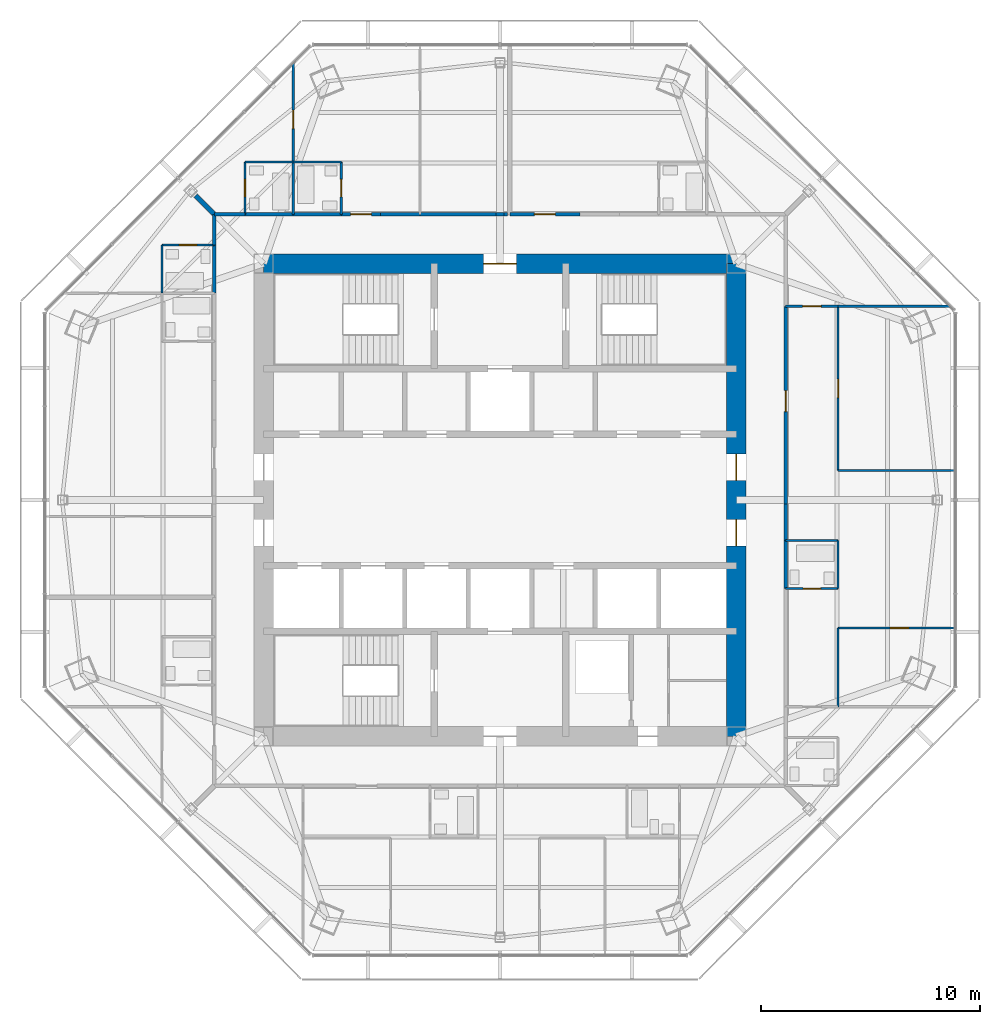
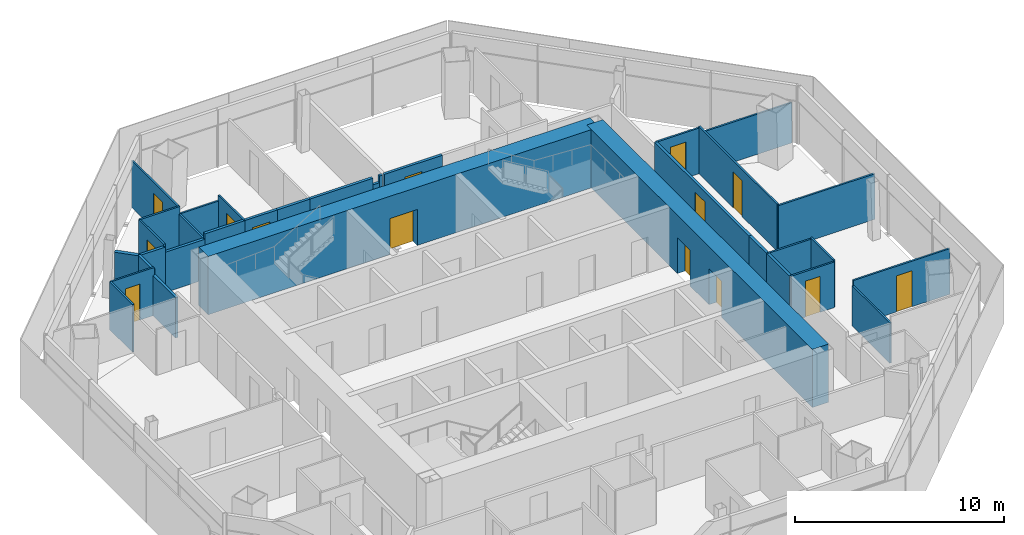
# One storey, part 11 of 14: 34 walls, 14 doors, 14 openings.
"""IFC4 building model written with IfcOpenShell, lengths in metres."""

from ifc_helpers import new_model, si_unit, direction, frame, frame_2d, origin, place, context, subcontext, project, spatial, rectangle, extrude, material, layer, layer_set, type_object, element, fill, save


model = new_model("IFC4")

# Units and contexts
model_context = context("Model", 3, precision=1e-05, world=origin(), true_north=direction((0.0, 1.0)))
body_context = subcontext(model_context, "Body", "Model", "MODEL_VIEW")
ifc_project = project(units=[si_unit("LENGTHUNIT", "METRE"), si_unit("AREAUNIT", "SQUARE_METRE"), si_unit("VOLUMEUNIT", "CUBIC_METRE"), si_unit("PLANEANGLEUNIT", "RADIAN"), si_unit("MASSUNIT", "GRAM", prefix="KILO")], contexts=[model_context])

# Site, building, storey
site_placement = place(None, origin())
site = spatial("IfcSite", under=ifc_project, at=site_placement, CompositionType="ELEMENT")
building_placement = place(site_placement, origin())
building = spatial("IfcBuilding", under=site, at=building_placement, Name="Mashrafa Tower", CompositionType="ELEMENT")
storey_placement = place(building_placement, frame((0.0, 0.0, 255.0)))
storey = spatial("IfcBuildingStorey", under=building, at=storey_placement, Name="L61", CompositionType="ELEMENT", Elevation=255.0)

# Wall
ifc_material_1 = material(Name="Gypsum board on steel studs", Category="steel")
ifc_layer_1 = layer(ifc_material_1, 0.199951171875)
ifc_layer_set_1 = layer_set([ifc_layer_1], Name="Acoustic partition 200 1 hr")
wall_type_1 = type_object("IfcWallType", Name="Acoustic partition 200 1 hr", PredefinedType="PARTITIONING", material=ifc_layer_set_1)
wall_1_placement = place(storey_placement, frame((-13.90234375, 13.90234375, 0.0), z_axis=(0.0, 0.0, 1.0), x_axis=(0.707106781187, -0.707106781187, 0.0)))
element("IfcWall", 1, at=wall_1_placement, inside=storey, type_object=wall_type_1, Name="Acoustic wall L61-067", PredefinedType="PARTITIONING", context=body_context, shape_type="SweptSolid", body=[
    extrude(rectangle(XDim=1.205322265625, YDim=0.199951171875, at=frame_2d((0.6025390625, 0.0))), origin(), (0.0, 0.0, 1.0), 2.656494140625),
])

# Wall, openings, doors
ifc_material_2 = material(Name="Concrete C50/60", Category="concrete")
ifc_layer_2 = layer(ifc_material_2, 0.89990234375)
ifc_layer_set_2 = layer_set([ifc_layer_2], Name="Core wall 900 C50/60")
wall_type_2 = type_object("IfcWallType", Name="Core wall 900 C50/60", PredefinedType="SOLIDWALL", material=ifc_layer_set_2)
wall_2_placement = place(storey_placement, frame((10.800048828125, -10.800048828125, 0.0), z_axis=(0.0, 0.0, 1.0), x_axis=(0.0, 1.0, 0.0)))
wall_2 = element("IfcWall", 2, at=wall_2_placement, inside=storey, type_object=wall_type_2, Name="Core wall CW-E L61", PredefinedType="SOLIDWALL", context=body_context, shape_type="SweptSolid", body=[
    extrude(rectangle(XDim=21.60009765625, YDim=0.89990234375, at=frame_2d((10.800048828125, 0.0))), origin(), (0.0, 0.0, 1.0), 3.39990234375),
])
opening_1_placement = place(wall_2_placement, frame((11.699951171875, 0.0, 0.0)))
opening_1 = element("IfcOpeningElement", 3, at=opening_1_placement, cuts=wall_2, Name="Opening 61.031", PredefinedType="OPENING", context=body_context, shape_type="SweptSolid", body=[
    extrude(rectangle(XDim=1.199951171875, YDim=2.10009765625, at=frame_2d((0.60009765625, 1.050048828125))), frame((0.0, 0.4599609375, 0.0), z_axis=(0.0, -1.0, 0.0), x_axis=(1.0, 0.0, 0.0)), (0.0, 0.0, 1.0), 0.919921875),
])
opening_2_placement = place(wall_2_placement, frame((8.699951171875, 0.0, 0.0)))
opening_2 = element("IfcOpeningElement", 4, at=opening_2_placement, cuts=wall_2, Name="Opening 61.033", PredefinedType="OPENING", context=body_context, shape_type="SweptSolid", body=[
    extrude(rectangle(XDim=1.199951171875, YDim=2.10009765625, at=frame_2d((0.60009765625, 1.050048828125))), frame((0.0, 0.4599609375, 0.0), z_axis=(0.0, -1.0, 0.0), x_axis=(1.0, 0.0, 0.0)), (0.0, 0.0, 1.0), 0.919921875),
])
ifc_material_3 = material(Name="Steel door", Category="steel")
door_type_1 = type_object("IfcDoorType", Name="Lift hall door 1200 x 2100 90 min", OperationType="USERDEFINED", PredefinedType="DOOR", material=ifc_material_3)
door_1_placement = place(opening_1_placement, frame((1.199951171875, 0.0, 0.0), z_axis=(0.0, 0.0, 1.0), x_axis=(-1.0, 0.0, 0.0)))
door_1 = element("IfcDoor", 5, at=door_1_placement, inside=storey, type_object=door_type_1, Name="Lift hall door east L61", OperationType="SINGLE_SWING_LEFT", OverallHeight=2.10009765625, OverallWidth=1.199951171875, PredefinedType="DOOR", context=body_context, shape_type="SweptSolid", body=[
    extrude(rectangle(XDim=1.199951171875, YDim=2.10009765625, at=frame_2d((0.60009765625, 1.050048828125))), frame((0.0, 0.02490234375, 0.0), z_axis=(0.0, -1.0, 0.0), x_axis=(1.0, 0.0, 0.0)), (0.0, 0.0, 1.0), 0.050048828125),
])
fill(opening_1, door_1)
door_2_placement = place(opening_2_placement, frame((1.199951171875, 0.0, 0.0), z_axis=(0.0, 0.0, 1.0), x_axis=(-1.0, 0.0, 0.0)))
door_2 = element("IfcDoor", 6, at=door_2_placement, inside=storey, type_object=door_type_1, Name="Lift hall door east L61", OperationType="SINGLE_SWING_RIGHT", OverallHeight=2.10009765625, OverallWidth=1.199951171875, PredefinedType="DOOR", context=body_context, shape_type="SweptSolid", body=[
    extrude(rectangle(XDim=1.199951171875, YDim=2.10009765625, at=frame_2d((0.60009765625, 1.050048828125))), frame((0.0, 0.02490234375, 0.0), z_axis=(0.0, -1.0, 0.0), x_axis=(1.0, 0.0, 0.0)), (0.0, 0.0, 1.0), 0.050048828125),
])
fill(opening_2, door_2)

# Wall, opening, door
wall_3_placement = place(storey_placement, frame((10.800048828125, 10.800048828125, 0.0), z_axis=(0.0, 0.0, 1.0), x_axis=(-1.0, 0.0, 0.0)))
wall_3 = element("IfcWall", 7, at=wall_3_placement, inside=storey, type_object=wall_type_2, Name="Core wall CW-N L61", PredefinedType="SOLIDWALL", context=body_context, shape_type="SweptSolid", body=[
    extrude(rectangle(XDim=21.60009765625, YDim=0.89990234375, at=frame_2d((10.800048828125, 0.0))), origin(), (0.0, 0.0, 1.0), 3.39990234375),
])
opening_3_placement = place(wall_3_placement, frame((10.050048828125, 0.0, 0.0)))
opening_3 = element("IfcOpeningElement", 8, at=opening_3_placement, cuts=wall_3, Name="Opening 61.035", PredefinedType="OPENING", context=body_context, shape_type="SweptSolid", body=[
    extrude(rectangle(XDim=1.5, YDim=2.10009765625, at=frame_2d((0.75, 1.050048828125))), frame((0.0, 0.4599609375, 0.0), z_axis=(0.0, -1.0, 0.0), x_axis=(1.0, 0.0, 0.0)), (0.0, 0.0, 1.0), 0.919921875),
])
ifc_material_4 = material(Name="Steel door", Category="steel")
door_type_2 = type_object("IfcDoorType", Name="Lobby door pair 1500 x 2100 90 min", OperationType="DOUBLE_DOOR_SINGLE_SWING", PredefinedType="DOOR", material=ifc_material_4)
door_3_placement = place(opening_3_placement, origin())
door_3 = element("IfcDoor", 9, at=door_3_placement, inside=storey, type_object=door_type_2, Name="Fire-fighting lobby F1 door L61", OperationType="DOUBLE_DOOR_SINGLE_SWING", OverallHeight=2.10009765625, OverallWidth=1.5, PredefinedType="DOOR", context=body_context, shape_type="SweptSolid", body=[
    extrude(rectangle(XDim=1.5, YDim=2.10009765625, at=frame_2d((0.75, 1.050048828125))), frame((0.0, 0.02490234375, 0.0), z_axis=(0.0, -1.0, 0.0), x_axis=(1.0, 0.0, 0.0)), (0.0, 0.0, 1.0), 0.050048828125),
])
fill(opening_3, door_3)

# Walls
ifc_material_5 = material(Name="Gypsum board on steel studs", Category="steel")
ifc_layer_3 = layer(ifc_material_5, 0.14990234375)
ifc_layer_set_3 = layer_set([ifc_layer_3], Name="Corridor partition 150 1 hr")
wall_type_3 = type_object("IfcWallType", Name="Corridor partition 150 1 hr", PredefinedType="PARTITIONING", material=ifc_layer_set_3)
wall_4_placement = place(storey_placement, frame((13.050048828125, -4.051025390625, 0.0), z_axis=(0.0, 0.0, 1.0), x_axis=(0.0, 1.0, 0.0)))
element("IfcWall", 10, at=wall_4_placement, inside=storey, type_object=wall_type_3, Name="Corridor wall L61-003", PredefinedType="PARTITIONING", context=body_context, shape_type="SweptSolid", body=[
    extrude(rectangle(XDim=2.201904296875, YDim=0.14990234375, at=frame_2d((1.10107421875, 0.0))), origin(), (0.0, 0.0, 1.0), 2.66162109375),
])
wall_5_placement = place(storey_placement, frame((13.050048828125, -1.85107421875, 0.0), z_axis=(0.0, 0.0, 1.0), x_axis=(0.0, 1.0, 0.0)))
element("IfcWall", 11, at=wall_5_placement, inside=storey, type_object=wall_type_3, Name="Corridor wall L61-004", PredefinedType="PARTITIONING", context=body_context, shape_type="SweptSolid", body=[
    extrude(rectangle(XDim=1.668701171875, YDim=0.14990234375, at=frame_2d((0.83447265625, 0.0))), origin(), (0.0, 0.0, 1.0), 2.66162109375),
])

# Wall, opening, door
wall_6_placement = place(storey_placement, frame((13.050048828125, -0.180419921875, 0.0), z_axis=(0.0, 0.0, 1.0), x_axis=(0.0, 1.0, 0.0)))
wall_6 = element("IfcWall", 12, at=wall_6_placement, inside=storey, type_object=wall_type_3, Name="Corridor wall L61-007", PredefinedType="PARTITIONING", context=body_context, shape_type="SweptSolid", body=[
    extrude(rectangle(XDim=9.031494140625, YDim=0.14990234375, at=frame_2d((4.515625, 0.0))), origin(), (0.0, 0.0, 1.0), 2.66162109375),
])
opening_4_placement = place(wall_6_placement, frame((4.22216796875, 0.0, 0.0)))
opening_4 = element("IfcOpeningElement", 13, at=opening_4_placement, cuts=wall_6, Name="Opening 61.006", PredefinedType="OPENING", context=body_context, shape_type="SweptSolid", body=[
    extrude(rectangle(XDim=0.949951171875, YDim=2.10009765625, at=frame_2d((0.47509765625, 1.050048828125))), frame((0.0, 0.0849609375, 0.0), z_axis=(0.0, -1.0, 0.0), x_axis=(1.0, 0.0, 0.0)), (0.0, 0.0, 1.0), 0.169921875),
])
ifc_material_6 = material(Name="Steel door", Category="steel")
door_type_3 = type_object("IfcDoorType", Name="Residence entrance door 950 x 2100 20 min", OperationType="USERDEFINED", PredefinedType="DOOR", material=ifc_material_6)
door_4_placement = place(opening_4_placement, frame((0.949951171875, 0.0, 0.0), z_axis=(0.0, 0.0, 1.0), x_axis=(-1.0, 0.0, 0.0)))
door_4 = element("IfcDoor", 14, at=door_4_placement, inside=storey, type_object=door_type_3, Name="Apartment 6101 Living Room door", OperationType="SINGLE_SWING_LEFT", OverallHeight=2.10009765625, OverallWidth=0.949951171875, PredefinedType="DOOR", context=body_context, shape_type="SweptSolid", body=[
    extrude(rectangle(XDim=0.949951171875, YDim=2.10009765625, at=frame_2d((0.47509765625, 1.050048828125))), frame((0.0, 0.02490234375, 0.0), z_axis=(0.0, -1.0, 0.0), x_axis=(1.0, 0.0, 0.0)), (0.0, 0.0, 1.0), 0.050048828125),
])
fill(opening_4, door_4)

wall_7_placement = place(storey_placement, frame((3.65087890625, 13.050048828125, 0.0), z_axis=(0.0, 0.0, 1.0), x_axis=(-1.0, 0.0, 0.0)))
wall_7 = element("IfcWall", 15, at=wall_7_placement, inside=storey, type_object=wall_type_3, Name="Corridor wall L61-011", PredefinedType="PARTITIONING", context=body_context, shape_type="SweptSolid", body=[
    extrude(rectangle(XDim=3.201904296875, YDim=0.14990234375, at=frame_2d((1.60107421875, 0.0))), origin(), (0.0, 0.0, 1.0), 2.66162109375),
])
opening_5_placement = place(wall_7_placement, frame((1.1259765625, 0.0, 0.0)))
opening_5 = element("IfcOpeningElement", 16, at=opening_5_placement, cuts=wall_7, Name="Opening 61.010", PredefinedType="OPENING", context=body_context, shape_type="SweptSolid", body=[
    extrude(rectangle(XDim=0.949951171875, YDim=2.10009765625, at=frame_2d((0.47509765625, 1.050048828125))), frame((0.0, 0.0849609375, 0.0), z_axis=(0.0, -1.0, 0.0), x_axis=(1.0, 0.0, 0.0)), (0.0, 0.0, 1.0), 0.169921875),
])
door_5_placement = place(opening_5_placement, frame((0.949951171875, 0.0, 0.0), z_axis=(0.0, 0.0, 1.0), x_axis=(-1.0, 0.0, 0.0)))
door_5 = element("IfcDoor", 17, at=door_5_placement, inside=storey, type_object=door_type_3, Name="Apartment 6102 Living Room door", OperationType="SINGLE_SWING_LEFT", OverallHeight=2.10009765625, OverallWidth=0.949951171875, PredefinedType="DOOR", context=body_context, shape_type="SweptSolid", body=[
    extrude(rectangle(XDim=0.949951171875, YDim=2.10009765625, at=frame_2d((0.47509765625, 1.050048828125))), frame((0.0, 0.02490234375, 0.0), z_axis=(0.0, -1.0, 0.0), x_axis=(1.0, 0.0, 0.0)), (0.0, 0.0, 1.0), 0.050048828125),
])
fill(opening_5, door_5)

# Walls
wall_8_placement = place(storey_placement, frame((-9.448974609375, 13.050048828125, 0.0), z_axis=(0.0, 0.0, 1.0), x_axis=(-1.0, 0.0, 0.0)))
element("IfcWall", 18, at=wall_8_placement, inside=storey, type_object=wall_type_3, Name="Corridor wall L61-013", PredefinedType="PARTITIONING", context=body_context, shape_type="SweptSolid", body=[
    extrude(rectangle(XDim=2.201904296875, YDim=0.14990234375, at=frame_2d((1.10107421875, 0.0))), origin(), (0.0, 0.0, 1.0), 2.349365234375),
])
wall_9_placement = place(storey_placement, frame((-11.64892578125, 13.050048828125, 0.0), z_axis=(0.0, 0.0, 1.0), x_axis=(-1.0, 0.0, 0.0)))
element("IfcWall", 19, at=wall_9_placement, inside=storey, type_object=wall_type_3, Name="Corridor wall L61-014", PredefinedType="PARTITIONING", context=body_context, shape_type="SweptSolid", body=[
    extrude(rectangle(XDim=1.401123046875, YDim=0.14990234375, at=frame_2d((0.70068359375, 0.0))), origin(), (0.0, 0.0, 1.0), 2.656494140625),
])
wall_10_placement = place(storey_placement, frame((-7.2490234375, 13.050048828125, 0.0), z_axis=(0.0, 0.0, 1.0), x_axis=(-1.0, 0.0, 0.0)))
element("IfcWall", 20, at=wall_10_placement, inside=storey, type_object=wall_type_3, Name="Corridor wall L61-015", PredefinedType="PARTITIONING", context=body_context, shape_type="SweptSolid", body=[
    extrude(rectangle(XDim=2.201904296875, YDim=0.14990234375, at=frame_2d((1.10107421875, 0.0))), origin(), (0.0, 0.0, 1.0), 2.66162109375),
])
wall_11_placement = place(storey_placement, frame((-3.64892578125, 13.050048828125, 0.0), z_axis=(0.0, 0.0, 1.0), x_axis=(-1.0, 0.0, 0.0)))
element("IfcWall", 21, at=wall_11_placement, inside=storey, type_object=wall_type_3, Name="Corridor wall L61-016", PredefinedType="PARTITIONING", context=body_context, shape_type="SweptSolid", body=[
    extrude(rectangle(XDim=1.802001953125, YDim=0.14990234375, at=frame_2d((0.90087890625, 0.0))), origin(), (0.0, 0.0, 1.0), 2.66162109375),
])
wall_12_placement = place(storey_placement, frame((0.35009765625, 13.050048828125, 0.0), z_axis=(0.0, 0.0, 1.0), x_axis=(-1.0, 0.0, 0.0)))
element("IfcWall", 22, at=wall_12_placement, inside=storey, type_object=wall_type_3, Name="Corridor wall L61-017", PredefinedType="PARTITIONING", context=body_context, shape_type="SweptSolid", body=[
    extrude(rectangle(XDim=0.167724609375, YDim=0.14990234375, at=frame_2d((0.083984375, 0.0))), origin(), (0.0, 0.0, 1.0), 2.66162109375),
])
wall_13_placement = place(storey_placement, frame((-0.182373046875, 13.050048828125, 0.0), z_axis=(0.0, 0.0, 1.0), x_axis=(-1.0, 0.0, 0.0)))
element("IfcWall", 23, at=wall_13_placement, inside=storey, type_object=wall_type_3, Name="Corridor wall L61-018", PredefinedType="PARTITIONING", context=body_context, shape_type="SweptSolid", body=[
    extrude(rectangle(XDim=3.468505859375, YDim=0.14990234375, at=frame_2d((1.734375, 0.0))), origin(), (0.0, 0.0, 1.0), 2.66162109375),
])
wall_14_placement = place(storey_placement, frame((0.182373046875, 13.050048828125, 0.0), z_axis=(0.0, 0.0, 1.0), x_axis=(-1.0, 0.0, 0.0)))
element("IfcWall", 24, at=wall_14_placement, inside=storey, type_object=wall_type_3, Name="Corridor wall L61-019", PredefinedType="PARTITIONING", context=body_context, shape_type="SweptSolid", body=[
    extrude(rectangle(XDim=0.36474609375, YDim=0.14990234375, at=frame_2d((0.182373046875, 0.0))), origin(), (0.0, 0.0, 1.0), 2.26806640625),
])

# Wall, opening, door
wall_15_placement = place(storey_placement, frame((-5.448974609375, 13.050048828125, 0.0), z_axis=(0.0, 0.0, 1.0), x_axis=(-1.0, 0.0, 0.0)))
wall_15 = element("IfcWall", 25, at=wall_15_placement, inside=storey, type_object=wall_type_3, Name="Corridor wall L61-020", PredefinedType="PARTITIONING", context=body_context, shape_type="SweptSolid", body=[
    extrude(rectangle(XDim=1.802001953125, YDim=0.14990234375, at=frame_2d((0.90087890625, 0.0))), origin(), (0.0, 0.0, 1.0), 2.66162109375),
])
opening_6_placement = place(wall_15_placement, frame((0.426025390625, 0.0, 0.0)))
opening_6 = element("IfcOpeningElement", 26, at=opening_6_placement, cuts=wall_15, Name="Opening 61.015", PredefinedType="OPENING", context=body_context, shape_type="SweptSolid", body=[
    extrude(rectangle(XDim=0.949951171875, YDim=2.10009765625, at=frame_2d((0.47509765625, 1.050048828125))), frame((0.0, 0.0849609375, 0.0), z_axis=(0.0, -1.0, 0.0), x_axis=(1.0, 0.0, 0.0)), (0.0, 0.0, 1.0), 0.169921875),
])
door_6_placement = place(opening_6_placement, frame((0.949951171875, 0.0, 0.0), z_axis=(0.0, 0.0, 1.0), x_axis=(-1.0, 0.0, 0.0)))
door_6 = element("IfcDoor", 27, at=door_6_placement, inside=storey, type_object=door_type_3, Name="Apartment 6103 Living Room door", OperationType="SINGLE_SWING_RIGHT", OverallHeight=2.10009765625, OverallWidth=0.949951171875, PredefinedType="DOOR", context=body_context, shape_type="SweptSolid", body=[
    extrude(rectangle(XDim=0.949951171875, YDim=2.10009765625, at=frame_2d((0.47509765625, 1.050048828125))), frame((0.0, 0.02490234375, 0.0), z_axis=(0.0, -1.0, 0.0), x_axis=(1.0, 0.0, 0.0)), (0.0, 0.0, 1.0), 0.050048828125),
])
fill(opening_6, door_6)

# Walls
wall_16_placement = place(storey_placement, frame((-13.050048828125, 11.65087890625, 0.0), z_axis=(0.0, 0.0, 1.0), x_axis=(0.0, -1.0, 0.0)))
element("IfcWall", 28, at=wall_16_placement, inside=storey, type_object=wall_type_3, Name="Corridor wall L61-021", PredefinedType="PARTITIONING", context=body_context, shape_type="SweptSolid", body=[
    extrude(rectangle(XDim=2.201904296875, YDim=0.14990234375, at=frame_2d((1.10107421875, 0.0))), origin(), (0.0, 0.0, 1.0), 2.349365234375),
])
wall_17_placement = place(storey_placement, frame((-13.050048828125, 13.050048828125, 0.0), z_axis=(0.0, 0.0, 1.0), x_axis=(0.0, -1.0, 0.0)))
element("IfcWall", 29, at=wall_17_placement, inside=storey, type_object=wall_type_3, Name="Corridor wall L61-022", PredefinedType="PARTITIONING", context=body_context, shape_type="SweptSolid", body=[
    extrude(rectangle(XDim=1.401123046875, YDim=0.14990234375, at=frame_2d((0.70068359375, 0.0))), origin(), (0.0, 0.0, 1.0), 2.656494140625),
])

# Wall, opening, door
ifc_material_7 = material(Name="Gypsum board on steel studs", Category="steel")
ifc_layer_4 = layer(ifc_material_7, 0.10009765625)
ifc_layer_set_4 = layer_set([ifc_layer_4], Name="Partition 100")
wall_type_4 = type_object("IfcWallType", Name="Partition 100", PredefinedType="PARTITIONING", material=ifc_layer_set_4)
wall_18_placement = place(storey_placement, frame((20.78515625, -5.85009765625, 0.0), z_axis=(0.0, 0.0, 1.0), x_axis=(-1.0, 0.0, 0.0)))
wall_18 = element("IfcWall", 30, at=wall_18_placement, inside=storey, type_object=wall_type_4, Name="Partition wall L61-048", PredefinedType="PARTITIONING", context=body_context, shape_type="SweptSolid", body=[
    extrude(rectangle(XDim=5.335205078125, YDim=0.10009765625, at=frame_2d((2.66748046875, 0.0))), origin(), (0.0, 0.0, 1.0), 2.66162109375),
])
opening_7_placement = place(wall_18_placement, frame((2.1044921875, 0.0, 0.0)))
opening_7 = element("IfcOpeningElement", 31, at=opening_7_placement, cuts=wall_18, Name="Opening 61.003", PredefinedType="OPENING", context=body_context, shape_type="SweptSolid", body=[
    extrude(rectangle(XDim=0.85009765625, YDim=2.10009765625, at=frame_2d((0.425048828125, 1.050048828125))), frame((0.0, 0.06005859375, 0.0), z_axis=(0.0, -1.0, 0.0), x_axis=(1.0, 0.0, 0.0)), (0.0, 0.0, 1.0), 0.1201171875),
])
ifc_material_8 = material(Name="Timber door", Category="wood")
door_type_4 = type_object("IfcDoorType", Name="Bedroom door 850 x 2100", OperationType="USERDEFINED", PredefinedType="DOOR", material=ifc_material_8)
door_7_placement = place(opening_7_placement, origin())
door_7 = element("IfcDoor", 32, at=door_7_placement, inside=storey, type_object=door_type_4, Name="Apartment 6101 Majlis door", OperationType="SINGLE_SWING_LEFT", OverallHeight=2.10009765625, OverallWidth=0.85009765625, PredefinedType="DOOR", context=body_context, shape_type="SweptSolid", body=[
    extrude(rectangle(XDim=0.85009765625, YDim=2.10009765625, at=frame_2d((0.425048828125, 1.050048828125))), frame((0.0, 0.02490234375, 0.0), z_axis=(0.0, -1.0, 0.0), x_axis=(1.0, 0.0, 0.0)), (0.0, 0.0, 1.0), 0.050048828125),
])
fill(opening_7, door_7)

# Walls
wall_19_placement = place(storey_placement, frame((15.449951171875, -5.85009765625, 0.0), z_axis=(0.0, 0.0, 1.0), x_axis=(0.0, -1.0, 0.0)))
element("IfcWall", 33, at=wall_19_placement, inside=storey, type_object=wall_type_4, Name="Partition wall L61-049", PredefinedType="PARTITIONING", context=body_context, shape_type="SweptSolid", body=[
    extrude(rectangle(XDim=3.599853515625, YDim=0.10009765625, at=frame_2d((1.7998046875, 0.0))), origin(), (0.0, 0.0, 1.0), 2.349365234375),
])
wall_20_placement = place(storey_placement, frame((15.449951171875, -1.85009765625, 0.0), z_axis=(0.0, 0.0, 1.0), x_axis=(-1.0, 0.0, 0.0)))
element("IfcWall", 34, at=wall_20_placement, inside=storey, type_object=wall_type_4, Name="Partition wall L61-050", PredefinedType="PARTITIONING", context=body_context, shape_type="SweptSolid", body=[
    extrude(rectangle(XDim=2.39990234375, YDim=0.10009765625, at=frame_2d((1.199951171875, 0.0))), origin(), (0.0, 0.0, 1.0), 2.66162109375),
])

# Wall, opening, door
wall_21_placement = place(storey_placement, frame((13.050048828125, -4.050048828125, 0.0), z_axis=(0.0, 0.0, 1.0), x_axis=(1.0, 0.0, 0.0)))
wall_21 = element("IfcWall", 35, at=wall_21_placement, inside=storey, type_object=wall_type_4, Name="Partition wall L61-051", PredefinedType="PARTITIONING", context=body_context, shape_type="SweptSolid", body=[
    extrude(rectangle(XDim=2.39990234375, YDim=0.10009765625, at=frame_2d((1.199951171875, 0.0))), origin(), (0.0, 0.0, 1.0), 2.66162109375),
])
opening_8_placement = place(wall_21_placement, frame((0.800048828125, 0.0, 0.0)))
opening_8 = element("IfcOpeningElement", 36, at=opening_8_placement, cuts=wall_21, Name="Opening 61.004", PredefinedType="OPENING", context=body_context, shape_type="SweptSolid", body=[
    extrude(rectangle(XDim=0.800048828125, YDim=2.10009765625, at=frame_2d((0.39990234375, 1.050048828125))), frame((0.0, 0.06005859375, 0.0), z_axis=(0.0, -1.0, 0.0), x_axis=(1.0, 0.0, 0.0)), (0.0, 0.0, 1.0), 0.1201171875),
])
ifc_material_9 = material(Name="Timber door", Category="wood")
door_type_5 = type_object("IfcDoorType", Name="Bathroom door 800 x 2100", OperationType="USERDEFINED", PredefinedType="DOOR", material=ifc_material_9)
door_8_placement = place(opening_8_placement, origin())
door_8 = element("IfcDoor", 37, at=door_8_placement, inside=storey, type_object=door_type_5, Name="Apartment 6101 Bathroom door", OperationType="SINGLE_SWING_RIGHT", OverallHeight=2.10009765625, OverallWidth=0.800048828125, PredefinedType="DOOR", context=body_context, shape_type="SweptSolid", body=[
    extrude(rectangle(XDim=0.800048828125, YDim=2.10009765625, at=frame_2d((0.39990234375, 1.050048828125))), frame((0.0, 0.02490234375, 0.0), z_axis=(0.0, -1.0, 0.0), x_axis=(1.0, 0.0, 0.0)), (0.0, 0.0, 1.0), 0.050048828125),
])
fill(opening_8, door_8)

# Wall
wall_22_placement = place(storey_placement, frame((15.449951171875, -4.050048828125, 0.0), z_axis=(0.0, 0.0, 1.0), x_axis=(0.0, 1.0, 0.0)))
element("IfcWall", 38, at=wall_22_placement, inside=storey, type_object=wall_type_4, Name="Partition wall L61-052", PredefinedType="PARTITIONING", context=body_context, shape_type="SweptSolid", body=[
    extrude(rectangle(XDim=2.199951171875, YDim=0.10009765625, at=frame_2d((1.10009765625, 0.0))), origin(), (0.0, 0.0, 1.0), 2.740478515625),
])

# Wall, opening, door
wall_23_placement = place(storey_placement, frame((13.050048828125, 8.85009765625, 0.0), z_axis=(0.0, 0.0, 1.0), x_axis=(1.0, 0.0, 0.0)))
wall_23 = element("IfcWall", 39, at=wall_23_placement, inside=storey, type_object=wall_type_4, Name="Partition wall L61-053", PredefinedType="PARTITIONING", context=body_context, shape_type="SweptSolid", body=[
    extrude(rectangle(XDim=2.40087890625, YDim=0.10009765625, at=frame_2d((1.200439453125, 0.0))), origin(), (0.0, 0.0, 1.0), 2.66162109375),
])
opening_9_placement = place(wall_23_placement, frame((0.775390625, 0.0, 0.0)))
opening_9 = element("IfcOpeningElement", 40, at=opening_9_placement, cuts=wall_23, Name="Opening 61.005", PredefinedType="OPENING", context=body_context, shape_type="SweptSolid", body=[
    extrude(rectangle(XDim=0.85009765625, YDim=2.10009765625, at=frame_2d((0.425048828125, 1.050048828125))), frame((0.0, 0.06005859375, 0.0), z_axis=(0.0, -1.0, 0.0), x_axis=(1.0, 0.0, 0.0)), (0.0, 0.0, 1.0), 0.1201171875),
])
door_9_placement = place(opening_9_placement, origin())
door_9 = element("IfcDoor", 41, at=door_9_placement, inside=storey, type_object=door_type_4, Name="Apartment 6101 Bedroom 2 door", OperationType="SINGLE_SWING_LEFT", OverallHeight=2.10009765625, OverallWidth=0.85009765625, PredefinedType="DOOR", context=body_context, shape_type="SweptSolid", body=[
    extrude(rectangle(XDim=0.85009765625, YDim=2.10009765625, at=frame_2d((0.425048828125, 1.050048828125))), frame((0.0, 0.02490234375, 0.0), z_axis=(0.0, -1.0, 0.0), x_axis=(1.0, 0.0, 0.0)), (0.0, 0.0, 1.0), 0.050048828125),
])
fill(opening_9, door_9)

# Walls
wall_24_placement = place(storey_placement, frame((15.448974609375, 8.85009765625, 0.0), z_axis=(0.0, 0.0, 1.0), x_axis=(1.0, 0.0, 0.0)))
element("IfcWall", 42, at=wall_24_placement, inside=storey, type_object=wall_type_4, Name="Partition wall L61-054", PredefinedType="PARTITIONING", context=body_context, shape_type="SweptSolid", body=[
    extrude(rectangle(XDim=5.094482421875, YDim=0.10009765625, at=frame_2d((2.54736328125, 0.0))), origin(), (0.0, 0.0, 1.0), 2.349365234375),
])
wall_25_placement = place(storey_placement, frame((20.783203125, 1.35009765625, 0.0), z_axis=(0.0, 0.0, 1.0), x_axis=(-1.0, 0.0, 0.0)))
element("IfcWall", 43, at=wall_25_placement, inside=storey, type_object=wall_type_4, Name="Partition wall L61-056", PredefinedType="PARTITIONING", context=body_context, shape_type="SweptSolid", body=[
    extrude(rectangle(XDim=5.333251953125, YDim=0.10009765625, at=frame_2d((2.66650390625, 0.0))), origin(), (0.0, 0.0, 1.0), 2.66162109375),
])

# Wall, opening, door
wall_26_placement = place(storey_placement, frame((15.449951171875, 1.35009765625, 0.0), z_axis=(0.0, 0.0, 1.0), x_axis=(0.0, 1.0, 0.0)))
wall_26 = element("IfcWall", 44, at=wall_26_placement, inside=storey, type_object=wall_type_4, Name="Partition wall L61-057", PredefinedType="PARTITIONING", context=body_context, shape_type="SweptSolid", body=[
    extrude(rectangle(XDim=7.5, YDim=0.10009765625, at=frame_2d((3.75, 0.0))), origin(), (0.0, 0.0, 1.0), 2.740478515625),
])
opening_10_placement = place(wall_26_placement, frame((3.324951171875, 0.0, 0.0)))
opening_10 = element("IfcOpeningElement", 45, at=opening_10_placement, cuts=wall_26, Name="Opening 61.007", PredefinedType="OPENING", context=body_context, shape_type="SweptSolid", body=[
    extrude(rectangle(XDim=0.85009765625, YDim=2.10009765625, at=frame_2d((0.425048828125, 1.050048828125))), frame((0.0, 0.06005859375, 0.0), z_axis=(0.0, -1.0, 0.0), x_axis=(1.0, 0.0, 0.0)), (0.0, 0.0, 1.0), 0.1201171875),
])
door_10_placement = place(opening_10_placement, frame((0.85009765625, 0.0, 0.0), z_axis=(0.0, 0.0, 1.0), x_axis=(-1.0, 0.0, 0.0)))
door_10 = element("IfcDoor", 46, at=door_10_placement, inside=storey, type_object=door_type_4, Name="Apartment 6101 Dining Room door", OperationType="SINGLE_SWING_LEFT", OverallHeight=2.10009765625, OverallWidth=0.85009765625, PredefinedType="DOOR", context=body_context, shape_type="SweptSolid", body=[
    extrude(rectangle(XDim=0.85009765625, YDim=2.10009765625, at=frame_2d((0.425048828125, 1.050048828125))), frame((0.0, 0.02490234375, 0.0), z_axis=(0.0, -1.0, 0.0), x_axis=(1.0, 0.0, 0.0)), (0.0, 0.0, 1.0), 0.050048828125),
])
fill(opening_10, door_10)

# Wall
wall_27_placement = place(storey_placement, frame((-9.449951171875, 15.449951171875, 0.0), z_axis=(0.0, 0.0, 1.0), x_axis=(-1.0, 0.0, 0.0)))
element("IfcWall", 47, at=wall_27_placement, inside=storey, type_object=wall_type_4, Name="Partition wall L61-063", PredefinedType="PARTITIONING", context=body_context, shape_type="SweptSolid", body=[
    extrude(rectangle(XDim=2.199951171875, YDim=0.10009765625, at=frame_2d((1.10009765625, 0.0))), origin(), (0.0, 0.0, 1.0), 2.7861328125),
])

# Wall, opening, door
wall_28_placement = place(storey_placement, frame((-11.64990234375, 15.449951171875, 0.0), z_axis=(0.0, 0.0, 1.0), x_axis=(0.0, -1.0, 0.0)))
wall_28 = element("IfcWall", 48, at=wall_28_placement, inside=storey, type_object=wall_type_4, Name="Partition wall L61-064", PredefinedType="PARTITIONING", context=body_context, shape_type="SweptSolid", body=[
    extrude(rectangle(XDim=2.39990234375, YDim=0.10009765625, at=frame_2d((1.199951171875, 0.0))), origin(), (0.0, 0.0, 1.0), 2.7861328125),
])
opening_11_placement = place(wall_28_placement, frame((0.800048828125, 0.0, 0.0)))
opening_11 = element("IfcOpeningElement", 49, at=opening_11_placement, cuts=wall_28, Name="Opening 61.011", PredefinedType="OPENING", context=body_context, shape_type="SweptSolid", body=[
    extrude(rectangle(XDim=0.800048828125, YDim=2.10009765625, at=frame_2d((0.39990234375, 1.050048828125))), frame((0.0, 0.06005859375, 0.0), z_axis=(0.0, -1.0, 0.0), x_axis=(1.0, 0.0, 0.0)), (0.0, 0.0, 1.0), 0.1201171875),
])
door_11_placement = place(opening_11_placement, origin())
door_11 = element("IfcDoor", 50, at=door_11_placement, inside=storey, type_object=door_type_5, Name="Apartment 6103 En-suite Bathroom door", OperationType="SINGLE_SWING_RIGHT", OverallHeight=2.10009765625, OverallWidth=0.800048828125, PredefinedType="DOOR", context=body_context, shape_type="SweptSolid", body=[
    extrude(rectangle(XDim=0.800048828125, YDim=2.10009765625, at=frame_2d((0.39990234375, 1.050048828125))), frame((0.0, 0.02490234375, 0.0), z_axis=(0.0, -1.0, 0.0), x_axis=(1.0, 0.0, 0.0)), (0.0, 0.0, 1.0), 0.050048828125),
])
fill(opening_11, door_11)

# Wall
wall_29_placement = place(storey_placement, frame((-9.449951171875, 13.050048828125, 0.0), z_axis=(0.0, 0.0, 1.0), x_axis=(0.0, 1.0, 0.0)))
element("IfcWall", 51, at=wall_29_placement, inside=storey, type_object=wall_type_4, Name="Partition wall L61-065", PredefinedType="PARTITIONING", context=body_context, shape_type="SweptSolid", body=[
    extrude(rectangle(XDim=2.39990234375, YDim=0.10009765625, at=frame_2d((1.199951171875, 0.0))), origin(), (0.0, 0.0, 1.0), 2.349365234375),
])

# Wall, opening, door
wall_30_placement = place(storey_placement, frame((-9.449951171875, 15.449951171875, 0.0), z_axis=(0.0, 0.0, 1.0), x_axis=(0.0, 1.0, 0.0)))
wall_30 = element("IfcWall", 52, at=wall_30_placement, inside=storey, type_object=wall_type_4, Name="Partition wall L61-066", PredefinedType="PARTITIONING", context=body_context, shape_type="SweptSolid", body=[
    extrude(rectangle(XDim=4.495361328125, YDim=0.10009765625, at=frame_2d((2.24755859375, 0.0))), origin(), (0.0, 0.0, 1.0), 2.740478515625),
])
opening_12_placement = place(wall_30_placement, frame((1.515380859375, 0.0, 0.0)))
opening_12 = element("IfcOpeningElement", 53, at=opening_12_placement, cuts=wall_30, Name="Opening 61.012", PredefinedType="OPENING", context=body_context, shape_type="SweptSolid", body=[
    extrude(rectangle(XDim=0.85009765625, YDim=2.10009765625, at=frame_2d((0.425048828125, 1.050048828125))), frame((0.0, 0.06005859375, 0.0), z_axis=(0.0, -1.0, 0.0), x_axis=(1.0, 0.0, 0.0)), (0.0, 0.0, 1.0), 0.1201171875),
])
door_12_placement = place(opening_12_placement, origin())
door_12 = element("IfcDoor", 54, at=door_12_placement, inside=storey, type_object=door_type_4, Name="Apartment 6103 Bedroom 1 door", OperationType="SINGLE_SWING_RIGHT", OverallHeight=2.10009765625, OverallWidth=0.85009765625, PredefinedType="DOOR", context=body_context, shape_type="SweptSolid", body=[
    extrude(rectangle(XDim=0.85009765625, YDim=2.10009765625, at=frame_2d((0.425048828125, 1.050048828125))), frame((0.0, 0.02490234375, 0.0), z_axis=(0.0, -1.0, 0.0), x_axis=(1.0, 0.0, 0.0)), (0.0, 0.0, 1.0), 0.050048828125),
])
fill(opening_12, door_12)

wall_31_placement = place(storey_placement, frame((-7.25, 13.050048828125, 0.0), z_axis=(0.0, 0.0, 1.0), x_axis=(0.0, 1.0, 0.0)))
wall_31 = element("IfcWall", 55, at=wall_31_placement, inside=storey, type_object=wall_type_4, Name="Partition wall L61-068", PredefinedType="PARTITIONING", context=body_context, shape_type="SweptSolid", body=[
    extrude(rectangle(XDim=2.39990234375, YDim=0.10009765625, at=frame_2d((1.199951171875, 0.0))), origin(), (0.0, 0.0, 1.0), 2.66162109375),
])
opening_13_placement = place(wall_31_placement, frame((0.800048828125, 0.0, 0.0)))
opening_13 = element("IfcOpeningElement", 56, at=opening_13_placement, cuts=wall_31, Name="Opening 61.013", PredefinedType="OPENING", context=body_context, shape_type="SweptSolid", body=[
    extrude(rectangle(XDim=0.800048828125, YDim=2.10009765625, at=frame_2d((0.39990234375, 1.050048828125))), frame((0.0, 0.06005859375, 0.0), z_axis=(0.0, -1.0, 0.0), x_axis=(1.0, 0.0, 0.0)), (0.0, 0.0, 1.0), 0.1201171875),
])
door_13_placement = place(opening_13_placement, origin())
door_13 = element("IfcDoor", 57, at=door_13_placement, inside=storey, type_object=door_type_5, Name="Apartment 6103 Bathroom door", OperationType="SINGLE_SWING_LEFT", OverallHeight=2.10009765625, OverallWidth=0.800048828125, PredefinedType="DOOR", context=body_context, shape_type="SweptSolid", body=[
    extrude(rectangle(XDim=0.800048828125, YDim=2.10009765625, at=frame_2d((0.39990234375, 1.050048828125))), frame((0.0, 0.02490234375, 0.0), z_axis=(0.0, -1.0, 0.0), x_axis=(1.0, 0.0, 0.0)), (0.0, 0.0, 1.0), 0.050048828125),
])
fill(opening_13, door_13)

# Wall
wall_32_placement = place(storey_placement, frame((-7.25, 15.449951171875, 0.0), z_axis=(0.0, 0.0, 1.0), x_axis=(-1.0, 0.0, 0.0)))
element("IfcWall", 58, at=wall_32_placement, inside=storey, type_object=wall_type_4, Name="Partition wall L61-069", PredefinedType="PARTITIONING", context=body_context, shape_type="SweptSolid", body=[
    extrude(rectangle(XDim=2.199951171875, YDim=0.10009765625, at=frame_2d((1.10009765625, 0.0))), origin(), (0.0, 0.0, 1.0), 2.349365234375),
])

# Wall, opening, door
wall_33_placement = place(storey_placement, frame((-13.050048828125, 11.64990234375, 0.0), z_axis=(0.0, 0.0, 1.0), x_axis=(-1.0, 0.0, 0.0)))
wall_33 = element("IfcWall", 59, at=wall_33_placement, inside=storey, type_object=wall_type_4, Name="Partition wall L61-072", PredefinedType="PARTITIONING", context=body_context, shape_type="SweptSolid", body=[
    extrude(rectangle(XDim=2.39990234375, YDim=0.10009765625, at=frame_2d((1.199951171875, 0.0))), origin(), (0.0, 0.0, 1.0), 2.7861328125),
])
opening_14_placement = place(wall_33_placement, frame((0.800048828125, 0.0, 0.0)))
opening_14 = element("IfcOpeningElement", 60, at=opening_14_placement, cuts=wall_33, Name="Opening 61.016", PredefinedType="OPENING", context=body_context, shape_type="SweptSolid", body=[
    extrude(rectangle(XDim=0.800048828125, YDim=2.10009765625, at=frame_2d((0.39990234375, 1.050048828125))), frame((0.0, 0.06005859375, 0.0), z_axis=(0.0, -1.0, 0.0), x_axis=(1.0, 0.0, 0.0)), (0.0, 0.0, 1.0), 0.1201171875),
])
door_14_placement = place(opening_14_placement, origin())
door_14 = element("IfcDoor", 61, at=door_14_placement, inside=storey, type_object=door_type_5, Name="Apartment 6104 En-suite Bathroom door", OperationType="SINGLE_SWING_RIGHT", OverallHeight=2.10009765625, OverallWidth=0.800048828125, PredefinedType="DOOR", context=body_context, shape_type="SweptSolid", body=[
    extrude(rectangle(XDim=0.800048828125, YDim=2.10009765625, at=frame_2d((0.39990234375, 1.050048828125))), frame((0.0, 0.02490234375, 0.0), z_axis=(0.0, -1.0, 0.0), x_axis=(1.0, 0.0, 0.0)), (0.0, 0.0, 1.0), 0.050048828125),
])
fill(opening_14, door_14)

# Wall
wall_34_placement = place(storey_placement, frame((-15.449951171875, 11.64990234375, 0.0), z_axis=(0.0, 0.0, 1.0), x_axis=(0.0, -1.0, 0.0)))
element("IfcWall", 62, at=wall_34_placement, inside=storey, type_object=wall_type_4, Name="Partition wall L61-073", PredefinedType="PARTITIONING", context=body_context, shape_type="SweptSolid", body=[
    extrude(rectangle(XDim=2.199951171875, YDim=0.10009765625, at=frame_2d((1.10009765625, 0.0))), origin(), (0.0, 0.0, 1.0), 2.7861328125),
])

save(model, "model.ifc")
